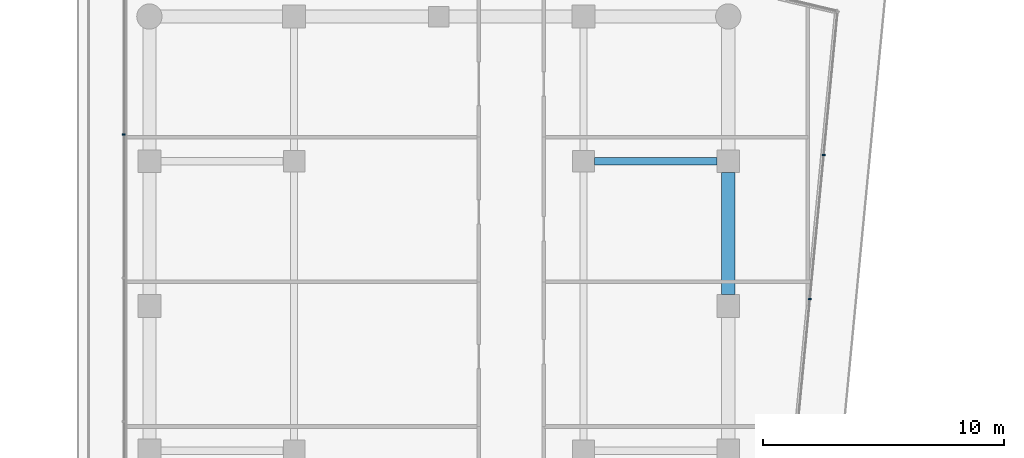
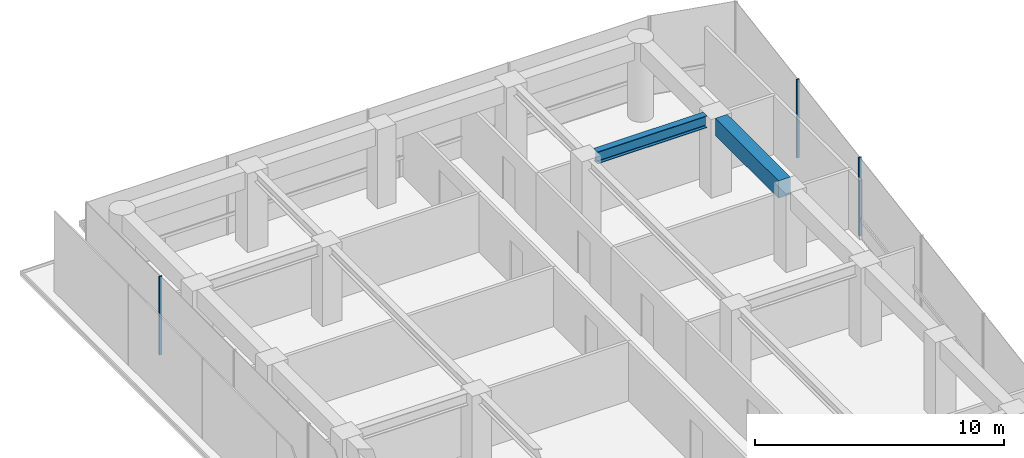
# One storey, part 15 of 23: 3 members, 2 beams, 2 elements without a shape of their own.
"""IFC4 building model written with IfcOpenShell, lengths in metres."""

import ifcopenshell
import ifcopenshell.guid

model = None  # the IFC model being written
_history = None  # IfcOwnerHistory: only IFC2X3 demands one
_inside = {}  # id of a spatial element -> (the spatial element, [elements in it])
_under = {}  # id of a project, library or spatial element -> (it, [spatial elements below it])
_declared = {}  # id of a project -> (the project, [libraries it declares])
_typed = {}  # id of a type object -> (the type object, [elements of that type])
_made_of = {}  # id of a material, layer set ... -> (it, [elements and type objects made of it])


def new_model(schema):
    """Start an empty IFC model of exactly this schema.

    Asked for "IFC4X3", IfcOpenShell would pick the latest addendum, in which some entities
    have other attributes; the version numbers below select the first issue.
    IFC2X3 requires an IfcOwnerHistory on every rooted entity: one is made here for all.
    """
    global model, _history
    if schema == "IFC4X3":
        model = ifcopenshell.file(schema_version=(4, 3, 0, 0))
    else:
        model = ifcopenshell.file(schema=schema)
    _inside.clear()
    _under.clear()
    _declared.clear()
    _typed.clear()
    _made_of.clear()
    _history = None
    if model.schema == "IFC2X3":
        org = make("IfcOrganization", Name="unknown")
        user = make(
            "IfcPersonAndOrganization",
            ThePerson=make("IfcPerson", FamilyName="unknown"),
            TheOrganization=org,
        )
        app = make(
            "IfcApplication",
            ApplicationDeveloper=org,
            Version="unknown",
            ApplicationFullName="unknown",
            ApplicationIdentifier="unknown",
        )
        _history = make(
            "IfcOwnerHistory",
            OwningUser=user,
            OwningApplication=app,
            ChangeAction="ADDED",
            CreationDate=0,
        )
    return model


def make(cls, **values):
    """One entity of the class cls with the attributes given. An attribute that is None is left unset."""
    return model.create_entity(
        cls, **{name: value for name, value in values.items() if value is not None}
    )


def rooted(cls, **values):
    """An entity with a GlobalId (a new one), such as an element, a storey or a relation."""
    return make(cls, GlobalId=ifcopenshell.guid.new(), OwnerHistory=_history, **values)


def si_unit(unit_type, name, prefix=None):
    """IfcSIUnit, for example si_unit("LENGTHUNIT", "METRE", prefix="MILLI")."""
    return make("IfcSIUnit", UnitType=unit_type, Prefix=prefix, Name=name)


def assignment(units):
    """IfcUnitAssignment: the units of a project."""
    return None if units is None else make("IfcUnitAssignment", Units=units)


def point(xyz):
    """IfcCartesianPoint."""
    return None if xyz is None else make("IfcCartesianPoint", Coordinates=xyz)


def direction(xyz):
    """IfcDirection."""
    return None if xyz is None else make("IfcDirection", DirectionRatios=xyz)


def frame(location, z_axis=None, x_axis=None):
    """IfcAxis2Placement3D, a coordinate frame: its origin and axes. An axis left out is left unset."""
    return make(
        "IfcAxis2Placement3D",
        Location=point(location),
        Axis=direction(z_axis),
        RefDirection=direction(x_axis),
    )


def frame_2d(location, x_axis=None):
    """IfcAxis2Placement2D, a coordinate frame in the plane: its origin and x axis."""
    return make(
        "IfcAxis2Placement2D", Location=point(location), RefDirection=direction(x_axis)
    )


def origin():
    """The frame at (0, 0, 0) with its axes left unset."""
    return frame((0.0, 0.0, 0.0))


def origin_2d():
    """The frame at (0, 0) in the plane with its x axis left unset."""
    return frame_2d((0.0, 0.0))


def place(relative_to, where):
    """IfcLocalPlacement: puts the frame where relative to a parent placement (None: the world)."""
    return make(
        "IfcLocalPlacement", PlacementRelTo=relative_to, RelativePlacement=where
    )


def context(
    kind, dimensions, precision=None, world=None, true_north=None, identifier=None
):
    """IfcGeometricRepresentationContext, for example the 3D "Model" context."""
    return make(
        "IfcGeometricRepresentationContext",
        ContextIdentifier=identifier,
        ContextType=kind,
        CoordinateSpaceDimension=dimensions,
        Precision=precision,
        WorldCoordinateSystem=world,
        TrueNorth=true_north,
    )


def subcontext(parent, identifier, kind, view, scale=None):
    """IfcGeometricRepresentationSubContext, for example "Body" below "Model"."""
    return make(
        "IfcGeometricRepresentationSubContext",
        ContextIdentifier=identifier,
        ContextType=kind,
        ParentContext=parent,
        TargetScale=scale,
        TargetView=view,
    )


def project(units=None, contexts=None):
    """IfcProject with its units and contexts."""
    return rooted(
        "IfcProject",
        Name="project",
        RepresentationContexts=contexts,
        UnitsInContext=assignment(units),
    )


def spatial(cls, under=None, at=None, **own):
    """A site, building, storey or space (cls), placed at a placement, below another one or the project."""
    s = rooted(cls, ObjectPlacement=at, **own)
    if under is not None:
        _under.setdefault(under.id(), (under, []))[1].append(s)
    return s


def profile(cls, at=None, kind="AREA", **sizes):
    """A parametric profile (cls). Its sizes go by their IFC names, for example OverallWidth=200.0."""
    return make(cls, ProfileType=kind, Position=at, **sizes)


def rectangle(**sizes):
    """IfcRectangleProfileDef."""
    return profile("IfcRectangleProfileDef", **sizes)


def i_section(**sizes):
    """IfcIShapeProfileDef."""
    return profile("IfcIShapeProfileDef", **sizes)


def extrude(swept, where, along, depth):
    """IfcExtrudedAreaSolid: the profile swept, set in the frame where, extruded along a direction by depth."""
    return make(
        "IfcExtrudedAreaSolid",
        SweptArea=swept,
        Position=where,
        ExtrudedDirection=direction(along),
        Depth=depth,
    )


def shape(context_of_items, identifier, shape_type, items):
    """IfcShapeRepresentation: the items that make up one representation, for example the "Body"."""
    return make(
        "IfcShapeRepresentation",
        ContextOfItems=context_of_items,
        RepresentationIdentifier=identifier,
        RepresentationType=shape_type,
        Items=items,
    )


def material(Name=None, Category=None):
    """IfcMaterial."""
    return make("IfcMaterial", Name=Name, Category=Category)


def layer(
    of_material, thickness, ventilated=None, Name=None, Category=None, Priority=None
):
    """IfcMaterialLayer: one layer of a wall or slab, of a material (None: an air gap)."""
    return make(
        "IfcMaterialLayer",
        Material=of_material,
        LayerThickness=thickness,
        IsVentilated=ventilated,
        Name=Name,
        Category=Category,
        Priority=Priority,
    )


def layer_set(layers, Name=None):
    """IfcMaterialLayerSet."""
    return make("IfcMaterialLayerSet", MaterialLayers=layers, LayerSetName=Name)


def material_profile(
    of_material, cross_section, Name=None, Category=None, Priority=None
):
    """IfcMaterialProfile: a cross section and its material."""
    return make(
        "IfcMaterialProfile",
        Name=Name,
        Material=of_material,
        Profile=cross_section,
        Priority=Priority,
        Category=Category,
    )


def profile_set(profiles, Name=None, composite=None):
    """IfcMaterialProfileSet."""
    return make(
        "IfcMaterialProfileSet",
        Name=Name,
        MaterialProfiles=profiles,
        CompositeProfile=composite,
    )


def made_of(thing, what):
    """Note that an element or type object is made of a material, layer set ...; save() writes the relation."""
    if what is not None:
        _made_of.setdefault(what.id(), (what, []))[1].append(thing)
    return thing


def type_object(cls, material=None, **own):
    """A type object (cls), such as IfcWallType, which elements share."""
    return made_of(rooted(cls, **own), material)


def element(
    cls,
    number,
    at=None,
    inside=None,
    cuts=None,
    type_object=None,
    material=None,
    context=None,
    identifier="Body",
    shape_type=None,
    held_by="IfcProductDefinitionShape",
    body=None,
    shapes=None,
    **own,
):
    """One element of the class cls, such as IfcWall. Its Tag is "e" and its number.

    at: its placement. inside: the storey or other place that contains it. cuts: it is an
    opening in that element (IfcRelVoidsElement). A single representation is given by context,
    identifier, shape_type and body (its items); several are given by shapes. held_by: the class
    of the entity that holds the representations. save() writes the other relations.
    """
    e = rooted(cls, Tag="e%d" % number, ObjectPlacement=at, **own)
    if body is not None:
        shapes = [shape(context, identifier, shape_type, body)]
    if shapes is not None:
        e.Representation = make(held_by, Representations=shapes)
    if inside is not None:
        _inside.setdefault(inside.id(), (inside, []))[1].append(e)
    if cuts is not None:
        rooted(
            "IfcRelVoidsElement", RelatingBuildingElement=cuts, RelatedOpeningElement=e
        )
    if type_object is not None:
        _typed.setdefault(type_object.id(), (type_object, []))[1].append(e)
    return made_of(e, material)


def aggregate(whole, parts):
    """IfcRelAggregates: a whole, such as a stair, and the parts it consists of."""
    return rooted("IfcRelAggregates", RelatingObject=whole, RelatedObjects=parts)


def save(model, path):
    """Write the relations noted so far, then the file.

    IfcRelAggregates (storeys below a building ...), IfcRelContainedInSpatialStructure (elements
    in a storey), IfcRelDefinesByType, IfcRelAssociatesMaterial and IfcRelDeclares: one each for
    every whole, place, type object, material and project.
    """
    for whole, parts in _under.values():
        aggregate(whole, parts)
    for where, things in _inside.values():
        rooted(
            "IfcRelContainedInSpatialStructure",
            RelatedElements=things,
            RelatingStructure=where,
        )
    for kind, things in _typed.values():
        rooted("IfcRelDefinesByType", RelatedObjects=things, RelatingType=kind)
    for what, things in _made_of.values():
        rooted("IfcRelAssociatesMaterial", RelatedObjects=things, RelatingMaterial=what)
    for by, libraries in _declared.values():
        rooted("IfcRelDeclares", RelatingContext=by, RelatedDefinitions=libraries)
    model.write(path)


model = new_model("IFC4")

# Units and contexts
model_context = context("Model", 3, precision=1e-05, world=origin(), true_north=direction((0.0, 1.0)))
body_context = subcontext(model_context, "Body", "Model", "MODEL_VIEW")
ifc_project = project(units=[si_unit("LENGTHUNIT", "METRE"), si_unit("AREAUNIT", "SQUARE_METRE"), si_unit("VOLUMEUNIT", "CUBIC_METRE"), si_unit("PLANEANGLEUNIT", "RADIAN"), si_unit("MASSUNIT", "GRAM", prefix="KILO")], contexts=[model_context])

# Site, building, storey
site_placement = place(None, origin())
site = spatial("IfcSite", under=ifc_project, at=site_placement, CompositionType="ELEMENT")
building_placement = place(site_placement, origin())
building = spatial("IfcBuilding", under=site, at=building_placement, Name="Welwitschia Terrace Campus", CompositionType="ELEMENT")
storey_placement = place(building_placement, frame((0.0, 0.0, 146.60009765625)))
storey = spatial("IfcBuildingStorey", under=building, at=storey_placement, Name="L32", CompositionType="ELEMENT", Elevation=146.60009765625)

# Curtain wall, member
ifc_material_1 = material(Name="Bronze anodised aluminium", Category="aluminium")
ifc_layer = layer(ifc_material_1, 0.1201171875)
ifc_layer_set = layer_set([ifc_layer], Name="Bronze anodised aluminium")
curtain_wall_type = type_object("IfcCurtainWallType", Name="Curtain wall CW2 tower 6000", PredefinedType="NOTDEFINED", material=ifc_layer_set)
curtain_wall_1_placement = place(storey_placement, origin())
curtain_wall_1 = element("IfcCurtainWall", 1, at=curtain_wall_1_placement, inside=storey, type_object=curtain_wall_type, Name="CW L32.0.0", PredefinedType="NOTDEFINED")
ifc_material_2 = material(Name="Bronze anodised aluminium", Category="aluminium")
ifc_material_profile_1 = material_profile(ifc_material_2, rectangle(XDim=0.1201171875, YDim=0.06005859375, at=origin_2d()))
ifc_profile_set_1 = profile_set([ifc_material_profile_1], Name="Bronze anodised aluminium")
member_type = type_object("IfcMemberType", Name="Mullion 60x120", PredefinedType="MULLION", material=ifc_profile_set_1)
member_1_placement = place(storey_placement, frame((-1.05810546875, 57.11083984375, 0.0), z_axis=(0.0, 0.0, 1.0), x_axis=(1.0, 0.0, 0.0)))
member_1 = element("IfcMember", 2, at=member_1_placement, type_object=member_type, Name="Mullion L32.0.0.1", PredefinedType="MULLION", context=body_context, shape_type="SweptSolid", body=[
    extrude(rectangle(XDim=0.1201171875, YDim=0.06005859375, at=origin_2d()), origin(), (0.0, 0.0, 1.0), 3.849853515625),
])
aggregate(curtain_wall_1, [member_1])

# Curtain wall, members
curtain_wall_2_placement = place(storey_placement, origin())
curtain_wall_2 = element("IfcCurtainWall", 3, at=curtain_wall_2_placement, inside=storey, type_object=curtain_wall_type, Name="CW L32.12.0", PredefinedType="NOTDEFINED")
member_2_placement = place(storey_placement, frame((27.385009765625, 50.28759765625, 0.0), z_axis=(0.0, 0.0, 1.0), x_axis=(-0.995396198367, 0.09584575252, 0.0)))
member_2 = element("IfcMember", 4, at=member_2_placement, type_object=member_type, Name="Mullion L32.12.0.4", PredefinedType="MULLION", context=body_context, shape_type="SweptSolid", body=[
    extrude(rectangle(XDim=0.1201171875, YDim=0.06005859375, at=origin_2d()), origin(), (0.0, 0.0, 1.0), 3.849853515625),
])
member_3_placement = place(storey_placement, frame((27.959716796875, 56.2568359375, 0.0), z_axis=(0.0, 0.0, 1.0), x_axis=(-0.995396198367, 0.09584575252, 0.0)))
member_3 = element("IfcMember", 5, at=member_3_placement, type_object=member_type, Name="Mullion L32.12.0.5", PredefinedType="MULLION", context=body_context, shape_type="SweptSolid", body=[
    extrude(rectangle(XDim=0.1201171875, YDim=0.06005859375, at=origin_2d()), origin(), (0.0, 0.0, 1.0), 3.849853515625),
])
aggregate(curtain_wall_2, [member_2, member_3])

# Beams
ifc_material_3 = material(Name="Steel S355", Category="steel")
ifc_material_profile_2 = material_profile(ifc_material_3, i_section(OverallWidth=0.300048828125, OverallDepth=0.590087890625, WebThickness=0.012939453125, FlangeThickness=0.02490234375, FilletRadius=0.027099609375, at=origin_2d()))
ifc_profile_set_2 = profile_set([ifc_material_profile_2], Name="Steel S355")
beam_type_1 = type_object("IfcBeamType", Name="Primary beam HE 600 A", PredefinedType="BEAM", material=ifc_profile_set_2)
beam_1_placement = place(storey_placement, frame((23.5244140625, 56.0, 3.554931640625), z_axis=(-1.0, 0.0, 0.0), x_axis=(0.0, -1.0, 0.0)))
element("IfcBeam", 6, at=beam_1_placement, inside=storey, type_object=beam_type_1, Name="Primary beam PB4", PredefinedType="BEAM", context=body_context, shape_type="SweptSolid", body=[
    extrude(i_section(OverallWidth=0.300048828125, OverallDepth=0.590087890625, WebThickness=0.012939453125, FlangeThickness=0.02490234375, FilletRadius=0.027099609375, at=origin_2d()), origin(), (0.0, 0.0, 1.0), 5.073974609375),
])
ifc_material_4 = material(Name="Concrete C50/60", Category="concrete")
ifc_material_profile_3 = material_profile(ifc_material_4, rectangle(XDim=0.550048828125, YDim=0.85009765625, at=origin_2d()))
ifc_profile_set_3 = profile_set([ifc_material_profile_3], Name="Concrete C50/60")
beam_type_2 = type_object("IfcBeamType", Name="Ring spandrel 550x850", PredefinedType="SPANDREL", material=ifc_profile_set_3)
beam_2_placement = place(storey_placement, frame((24.0, 50.4755859375, 3.4248046875), z_axis=(0.0, 1.0, 0.0), x_axis=(-1.0, 0.0, 0.0)))
element("IfcBeam", 7, at=beam_2_placement, inside=storey, type_object=beam_type_2, Name="Spandrel SP3", PredefinedType="SPANDREL", context=body_context, shape_type="SweptSolid", body=[
    extrude(rectangle(XDim=0.550048828125, YDim=0.85009765625, at=origin_2d()), origin(), (0.0, 0.0, 1.0), 5.048828125),
])

save(model, "model.ifc")
